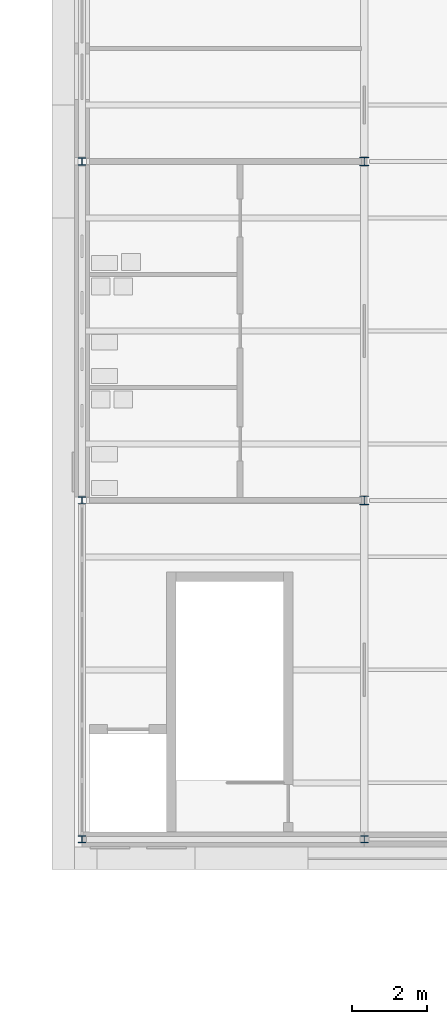
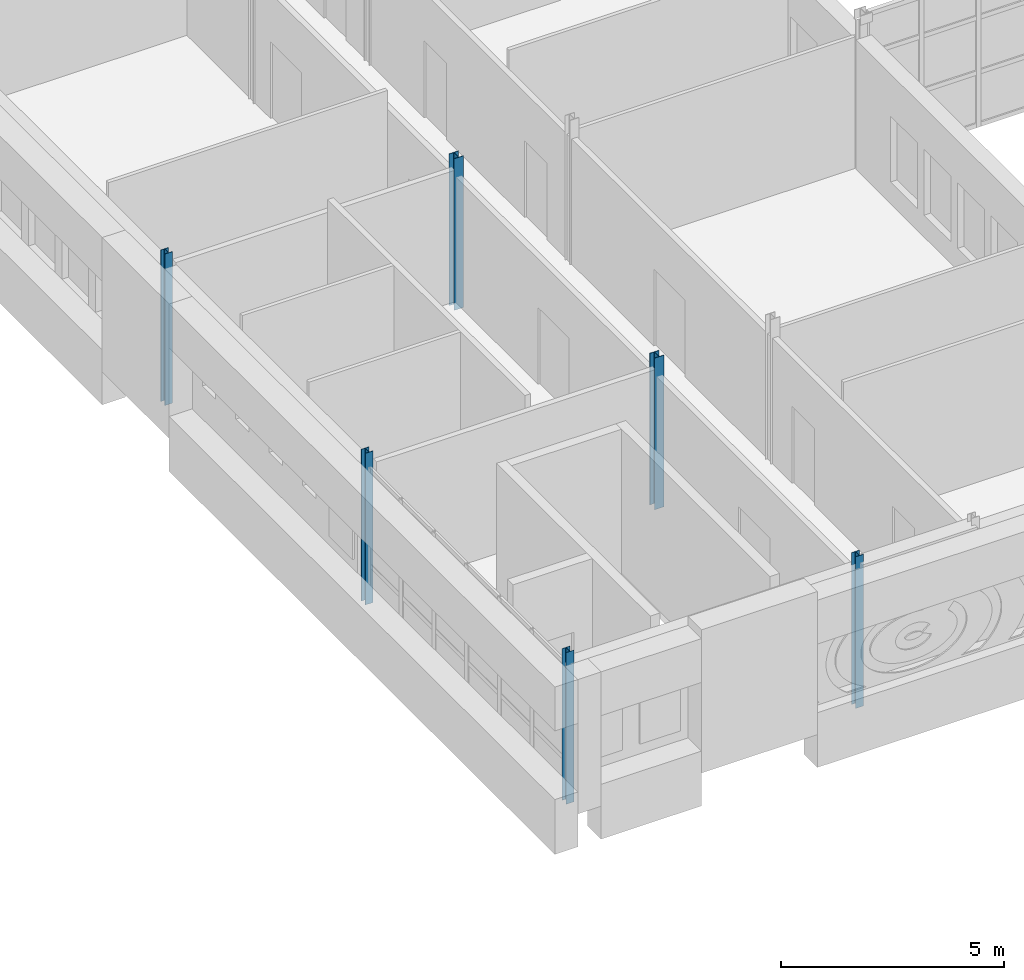
# One storey, part 2 of 154: 6 columns.
"""IFC4 building model written with IfcOpenShell, lengths in metres."""

from ifc_helpers import new_model, si_unit, direction, frame, origin, origin_2d, place, context, subcontext, project, spatial, i_section, extrude, material, material_profile, profile_set, type_object, element, save


model = new_model("IFC4")

# Units and contexts
model_context = context("Model", 3, precision=1e-05, world=origin(), true_north=direction((0.0, 1.0)))
body_context = subcontext(model_context, "Body", "Model", "MODEL_VIEW")
ifc_project = project(units=[si_unit("LENGTHUNIT", "METRE"), si_unit("AREAUNIT", "SQUARE_METRE"), si_unit("VOLUMEUNIT", "CUBIC_METRE"), si_unit("PLANEANGLEUNIT", "RADIAN"), si_unit("MASSUNIT", "GRAM", prefix="KILO")], contexts=[model_context])

# Site, building, storey
site_placement = place(None, origin())
site = spatial("IfcSite", under=ifc_project, at=site_placement, CompositionType="ELEMENT")
building_placement = place(site_placement, origin())
building = spatial("IfcBuilding", under=site, at=building_placement, Name="Golden Quay Civic Hall", CompositionType="ELEMENT")
storey_placement = place(building_placement, frame((0.0, 0.0, 14.39990234375)))
storey = spatial("IfcBuildingStorey", under=building, at=storey_placement, Name="L03", CompositionType="ELEMENT", Elevation=14.39990234375)

# Columns
ifc_material_1 = material(Name="Steel S355", Category="steel")
ifc_material_profile_1 = material_profile(ifc_material_1, i_section(OverallWidth=0.199951171875, OverallDepth=0.18994140625, WebThickness=0.006591796875, FlangeThickness=0.010009765625, FilletRadius=0.01806640625, at=origin_2d()), Name="HEA 200")
ifc_profile_set_1 = profile_set([ifc_material_profile_1], Name="Steel S355")
column_type_1 = type_object("IfcColumnType", Name="Steel column HEA 200", PredefinedType="COLUMN", material=ifc_profile_set_1)
for number, where, z_axis, x_axis, name in (
    (1, (54.0, 0.0, -0.199951171875), (0.0, 0.0, 1.0), (1.0, 0.0, 0.0), "Column 54/0 L03"),
    (2, (54.0, 9.0, -0.199951171875), (0.0, 0.0, 1.0), (1.0, 0.0, 0.0), "Column 54/9 L03"),
    (3, (54.0, 18.0, -0.199951171875), (0.0, 0.0, 1.0), (1.0, 0.0, 0.0), "Column 54/18 L03"),
    (4, (61.5, 0.0, -0.199951171875), (0.0, 0.0, 1.0), (1.0, 0.0, 0.0), "Column 61.5/0 L03"),
):
    element("IfcColumn", number, at=place(storey_placement, frame(where, z_axis=z_axis, x_axis=x_axis)), inside=storey, type_object=column_type_1, Name=name, PredefinedType="COLUMN", context=body_context, shape_type="SweptSolid", body=[
        extrude(i_section(OverallWidth=0.199951171875, OverallDepth=0.18994140625, WebThickness=0.006591796875, FlangeThickness=0.010009765625, FilletRadius=0.01806640625, at=origin_2d()), origin(), (0.0, 0.0, 1.0), 4.150146484375),
    ])
ifc_material_2 = material(Name="Steel S355", Category="steel")
ifc_material_profile_2 = material_profile(ifc_material_2, i_section(OverallWidth=0.239990234375, OverallDepth=0.22998046875, WebThickness=0.007568359375, FlangeThickness=0.011962890625, FilletRadius=0.02099609375, at=origin_2d()), Name="HEA 240")
ifc_profile_set_2 = profile_set([ifc_material_profile_2], Name="Steel S355")
column_type_2 = type_object("IfcColumnType", Name="Steel column HEA 240", PredefinedType="COLUMN", material=ifc_profile_set_2)
for number, where, z_axis, x_axis, name in (
    (5, (61.5, 9.0, -0.199951171875), (0.0, 0.0, 1.0), (1.0, 0.0, 0.0), "Column 61.5/9 L03"),
    (6, (61.5, 18.0, -0.199951171875), (0.0, 0.0, 1.0), (1.0, 0.0, 0.0), "Column 61.5/18 L03"),
):
    element("IfcColumn", number, at=place(storey_placement, frame(where, z_axis=z_axis, x_axis=x_axis)), inside=storey, type_object=column_type_2, Name=name, PredefinedType="COLUMN", context=body_context, shape_type="SweptSolid", body=[
        extrude(i_section(OverallWidth=0.239990234375, OverallDepth=0.22998046875, WebThickness=0.007568359375, FlangeThickness=0.011962890625, FilletRadius=0.02099609375, at=origin_2d()), origin(), (0.0, 0.0, 1.0), 4.150146484375),
    ])

save(model, "model.ifc")
